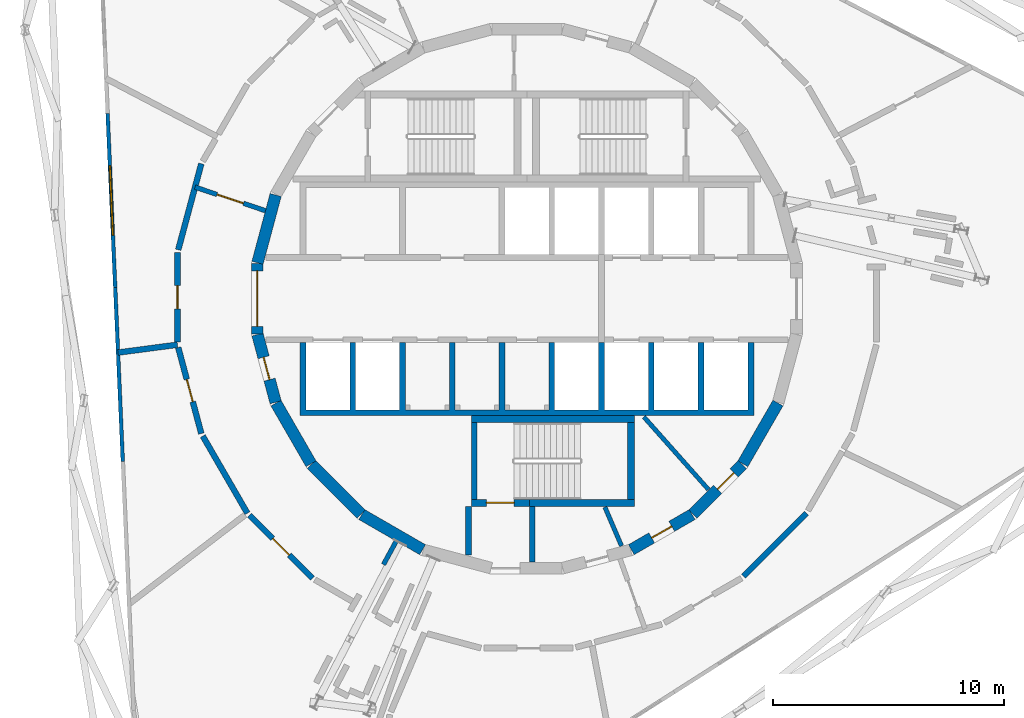
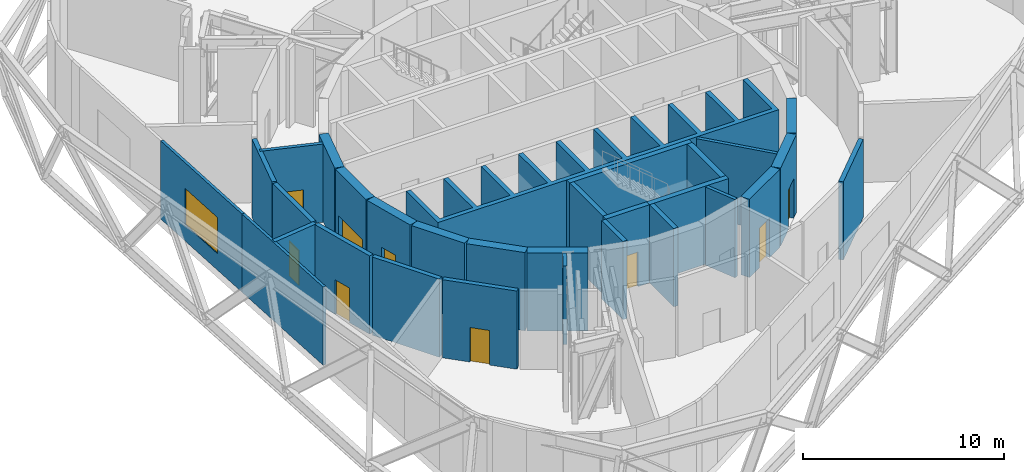
# One storey, part 6 of 12: 30 walls, 9 doors, 1 window, 10 openings.
"""IFC4 building model written with IfcOpenShell, lengths in metres."""

from ifc_helpers import new_model, si_unit, direction, frame, frame_2d, origin, place, context, subcontext, project, spatial, polyline, rectangle, outline, extrude, material, layer, layer_set, type_object, element, fill, save


model = new_model("IFC4")

# Units and contexts
model_context = context("Model", 3, precision=1e-05, world=origin(), true_north=direction((0.0, 1.0)))
body_context = subcontext(model_context, "Body", "Model", "MODEL_VIEW")
ifc_project = project(units=[si_unit("LENGTHUNIT", "METRE"), si_unit("AREAUNIT", "SQUARE_METRE"), si_unit("VOLUMEUNIT", "CUBIC_METRE"), si_unit("PLANEANGLEUNIT", "RADIAN"), si_unit("MASSUNIT", "GRAM", prefix="KILO")], contexts=[model_context])

# Site, building, storey
site_placement = place(None, origin())
site = spatial("IfcSite", under=ifc_project, at=site_placement, CompositionType="ELEMENT")
building_placement = place(site_placement, origin())
building = spatial("IfcBuilding", under=site, at=building_placement, Name="Spindle Arch Residences", CompositionType="ELEMENT")
storey_placement = place(building_placement, frame((0.0, 0.0, 258.199951171875)))
storey = spatial("IfcBuildingStorey", under=building, at=storey_placement, Name="L66", CompositionType="ELEMENT", Elevation=258.199951171875)

# Wall, opening, door
ifc_material_1 = material(Name="Concrete C50/60", Category="concrete")
ifc_layer_1 = layer(ifc_material_1, 0.5)
ifc_layer_set_1 = layer_set([ifc_layer_1], Name="Core outline wall 500")
wall_type_1 = type_object("IfcWallType", Name="Core outline wall 500", PredefinedType="SHEAR", material=ifc_layer_set_1)
wall_1_placement = place(storey_placement, frame((4.510498046875, -10.84521484375, 0.0), z_axis=(0.0, 0.0, 1.0), x_axis=(0.865975092491, 0.500087131594, 0.0)))
wall_1 = element("IfcWall", 1, at=wall_1_placement, inside=storey, type_object=wall_type_1, Name="Core outline wall 2", PredefinedType="SHEAR", context=body_context, shape_type="SweptSolid", body=[
    extrude(rectangle(XDim=3.03271484375, YDim=0.5, at=frame_2d((1.516357421875, 0.0))), origin(), (0.0, 0.0, 1.0), 4.75),
])
opening_1_placement = place(wall_1_placement, frame((1.016357421875, 0.0, 0.0)))
opening_1 = element("IfcOpeningElement", 2, at=opening_1_placement, cuts=wall_1, Name="Opening L66-PD07", PredefinedType="OPENING", context=body_context, shape_type="SweptSolid", body=[
    extrude(rectangle(XDim=1.0, YDim=2.39990234375, at=frame_2d((0.5, 1.199951171875))), frame((0.0, 0.260009765625, 0.0), z_axis=(0.0, -1.0, 0.0), x_axis=(1.0, 0.0, 0.0)), (0.0, 0.0, 1.0), 0.52001953125),
])
ifc_material_2 = material(Name="Steel, fire-resisting door", Category="steel")
door_type_1 = type_object("IfcDoorType", Name="Plant room door 1000x2400", OperationType="SINGLE_SWING_LEFT", PredefinedType="DOOR", material=ifc_material_2)
door_1_placement = place(opening_1_placement, origin())
door_1 = element("IfcDoor", 3, at=door_1_placement, inside=storey, type_object=door_type_1, Name="Plant room door L66-PD07", OperationType="SINGLE_SWING_LEFT", OverallHeight=2.39990234375, OverallWidth=1.0, PredefinedType="DOOR", context=body_context, shape_type="SweptSolid", body=[
    extrude(rectangle(XDim=1.0, YDim=2.39990234375, at=frame_2d((0.5, 1.199951171875))), frame((0.0, 0.02490234375, 0.0), z_axis=(0.0, -1.0, 0.0), x_axis=(1.0, 0.0, 0.0)), (0.0, 0.0, 1.0), 0.050048828125),
])
fill(opening_1, door_1)

wall_2_placement = place(storey_placement, frame((7.163818359375, -9.30810546875, 0.0), z_axis=(0.0, 0.0, 1.0), x_axis=(0.707106781187, 0.707106781187, 0.0)))
wall_2 = element("IfcWall", 4, at=wall_2_placement, inside=storey, type_object=wall_type_1, Name="Core outline wall 3", PredefinedType="SHEAR", context=body_context, shape_type="SweptSolid", body=[
    extrude(rectangle(XDim=3.032470703125, YDim=0.5, at=frame_2d((1.51611328125, 0.0))), origin(), (0.0, 0.0, 1.0), 4.75),
])
opening_2_placement = place(wall_2_placement, frame((1.516357421875, 0.0, 0.0)))
opening_2 = element("IfcOpeningElement", 5, at=opening_2_placement, cuts=wall_2, Name="Opening L66-PD05", PredefinedType="OPENING", context=body_context, shape_type="SweptSolid", body=[
    extrude(rectangle(XDim=1.0, YDim=2.39990234375, at=frame_2d((0.5, 1.199951171875))), frame((0.0, 0.260009765625, 0.0), z_axis=(0.0, -1.0, 0.0), x_axis=(1.0, 0.0, 0.0)), (0.0, 0.0, 1.0), 0.52001953125),
])
door_2_placement = place(opening_2_placement, origin())
door_2 = element("IfcDoor", 6, at=door_2_placement, inside=storey, type_object=door_type_1, Name="Plant room door L66-PD05", OperationType="SINGLE_SWING_LEFT", OverallHeight=2.39990234375, OverallWidth=1.0, PredefinedType="DOOR", context=body_context, shape_type="SweptSolid", body=[
    extrude(rectangle(XDim=1.0, YDim=2.39990234375, at=frame_2d((0.5, 1.199951171875))), frame((0.0, 0.02490234375, 0.0), z_axis=(0.0, -1.0, 0.0), x_axis=(1.0, 0.0, 0.0)), (0.0, 0.0, 1.0), 0.050048828125),
])
fill(opening_2, door_2)

# Walls
for number, where, z_axis, x_axis, name in (
    (7, (9.32861328125, -7.13671875, 0.0), (0.0, 0.0, 1.0), (0.500087131594, 0.865975092491, 0.0), "Core outline wall 4"),
    (8, (-10.858154296875, 4.479248046875, 0.0), (0.0, 0.0, 1.0), (-0.258734743916, -0.965948410781, 0.0), "Core outline wall 17"),
):
    element("IfcWall", number, at=place(storey_placement, frame(where, z_axis=z_axis, x_axis=x_axis)), inside=storey, type_object=wall_type_1, Name=name, PredefinedType="SHEAR", context=body_context, shape_type="SweptSolid", body=[
        extrude(rectangle(XDim=3.03271484375, YDim=0.5, at=frame_2d((1.516357421875, 0.0))), origin(), (0.0, 0.0, 1.0), 4.75),
    ])

# Wall, opening, door
wall_3_placement = place(storey_placement, frame((-11.647216796875, 1.516357421875, 0.0), z_axis=(0.0, 0.0, 1.0), x_axis=(0.0, -1.0, 0.0)))
wall_3 = element("IfcWall", 9, at=wall_3_placement, inside=storey, type_object=wall_type_1, Name="Core outline wall 18", PredefinedType="SHEAR", context=body_context, shape_type="SweptSolid", body=[
    extrude(rectangle(XDim=3.03271484375, YDim=0.5, at=frame_2d((1.516357421875, 0.0))), origin(), (0.0, 0.0, 1.0), 4.75),
])
opening_3_placement = place(wall_3_placement, frame((0.31640625, 0.0, 0.0)))
opening_3 = element("IfcOpeningElement", 10, at=opening_3_placement, cuts=wall_3, Name="Opening L66-LE01", PredefinedType="OPENING", context=body_context, shape_type="SweptSolid", body=[
    extrude(rectangle(XDim=2.39990234375, YDim=2.10009765625, at=frame_2d((1.199951171875, 1.050048828125))), frame((0.0, 0.260009765625, 0.0), z_axis=(0.0, -1.0, 0.0), x_axis=(1.0, 0.0, 0.0)), (0.0, 0.0, 1.0), 0.52001953125),
])
ifc_material_3 = material(Name="Steel, fire-resisting door", Category="steel")
door_type_2 = type_object("IfcDoorType", Name="Lift lobby entrance door 2400x2100", OperationType="DOUBLE_DOOR_SINGLE_SWING", PredefinedType="DOOR", material=ifc_material_3)
door_3_placement = place(opening_3_placement, origin())
door_3 = element("IfcDoor", 11, at=door_3_placement, inside=storey, type_object=door_type_2, Name="Lift lobby entrance door L66-LE01", OperationType="DOUBLE_DOOR_SINGLE_SWING", OverallHeight=2.10009765625, OverallWidth=2.39990234375, PredefinedType="DOOR", context=body_context, shape_type="SweptSolid", body=[
    extrude(rectangle(XDim=2.39990234375, YDim=2.10009765625, at=frame_2d((1.199951171875, 1.050048828125))), frame((0.0, 0.02490234375, 0.0), z_axis=(0.0, -1.0, 0.0), x_axis=(1.0, 0.0, 0.0)), (0.0, 0.0, 1.0), 0.050048828125),
])
fill(opening_3, door_3)

wall_4_placement = place(storey_placement, frame((-11.642822265625, -1.5498046875, 0.0), z_axis=(0.0, 0.0, 1.0), x_axis=(0.258734743916, -0.965948410781, 0.0)))
wall_4 = element("IfcWall", 12, at=wall_4_placement, inside=storey, type_object=wall_type_1, Name="Core outline wall 19", PredefinedType="SHEAR", context=body_context, shape_type="SweptSolid", body=[
    extrude(rectangle(XDim=3.03271484375, YDim=0.5, at=frame_2d((1.516357421875, 0.0))), origin(), (0.0, 0.0, 1.0), 4.75),
])
opening_4_placement = place(wall_4_placement, frame((1.016357421875, 0.0, 0.0)))
opening_4 = element("IfcOpeningElement", 13, at=opening_4_placement, cuts=wall_4, Name="Opening L66-PD08", PredefinedType="OPENING", context=body_context, shape_type="SweptSolid", body=[
    extrude(rectangle(XDim=1.0, YDim=2.39990234375, at=frame_2d((0.5, 1.199951171875))), frame((0.0, 0.260009765625, 0.0), z_axis=(0.0, -1.0, 0.0), x_axis=(1.0, 0.0, 0.0)), (0.0, 0.0, 1.0), 0.52001953125),
])
door_4_placement = place(opening_4_placement, origin())
door_4 = element("IfcDoor", 14, at=door_4_placement, inside=storey, type_object=door_type_1, Name="Plant room door L66-PD08", OperationType="SINGLE_SWING_RIGHT", OverallHeight=2.39990234375, OverallWidth=1.0, PredefinedType="DOOR", context=body_context, shape_type="SweptSolid", body=[
    extrude(rectangle(XDim=1.0, YDim=2.39990234375, at=frame_2d((0.5, 1.199951171875))), frame((0.0, 0.02490234375, 0.0), z_axis=(0.0, -1.0, 0.0), x_axis=(1.0, 0.0, 0.0)), (0.0, 0.0, 1.0), 0.050048828125),
])
fill(opening_4, door_4)

# Walls
wall_5_placement = place(storey_placement, frame((-10.84521484375, -4.510498046875, 0.0), z_axis=(0.0, 0.0, 1.0), x_axis=(0.500087131594, -0.865975092491, 0.0)))
element("IfcWall", 15, at=wall_5_placement, inside=storey, type_object=wall_type_1, Name="Core outline wall 20", PredefinedType="SHEAR", context=body_context, shape_type="SweptSolid", body=[
    extrude(rectangle(XDim=3.03271484375, YDim=0.5, at=frame_2d((1.516357421875, 0.0))), origin(), (0.0, 0.0, 1.0), 4.75),
])
wall_6_placement = place(storey_placement, frame((-9.30810546875, -7.163818359375, 0.0), z_axis=(0.0, 0.0, 1.0), x_axis=(0.707106781187, -0.707106781187, 0.0)))
element("IfcWall", 16, at=wall_6_placement, inside=storey, type_object=wall_type_1, Name="Core outline wall 21", PredefinedType="SHEAR", context=body_context, shape_type="SweptSolid", body=[
    extrude(rectangle(XDim=3.032470703125, YDim=0.5, at=frame_2d((1.51611328125, 0.0))), origin(), (0.0, 0.0, 1.0), 4.75),
])
wall_7_placement = place(storey_placement, frame((-7.13671875, -9.32861328125, 0.0), z_axis=(0.0, 0.0, 1.0), x_axis=(0.865975092491, -0.500087131594, 0.0)))
element("IfcWall", 17, at=wall_7_placement, inside=storey, type_object=wall_type_1, Name="Core outline wall 22", PredefinedType="SHEAR", context=body_context, shape_type="SweptSolid", body=[
    extrude(rectangle(XDim=3.03271484375, YDim=0.5, at=frame_2d((1.516357421875, 0.0))), origin(), (0.0, 0.0, 1.0), 4.75),
])

# Wall, opening, window
ifc_material_4 = material(Name="Non-combustible mineral wool insulated aluminium faced external wall (K0)", Category="aluminium")
ifc_layer_2 = layer(ifc_material_4, 0.159912109375)
ifc_layer_set_2 = layer_set([ifc_layer_2], Name="Insulated external wall panel 160")
wall_type_2 = type_object("IfcWallType", Name="Insulated external wall panel 160", PredefinedType="STANDARD", material=ifc_layer_set_2)
wall_8_placement = place(storey_placement, frame((-18.12060546875, 8.002197265625, 0.0), z_axis=(0.0, 0.0, 1.0), x_axis=(0.043608881799, -0.999048680209, 0.0)))
wall_8 = element("IfcWall", 18, at=wall_8_placement, inside=storey, type_object=wall_type_2, Name="Plant wall L66 bay 14", PredefinedType="STANDARD", context=body_context, shape_type="SweptSolid", body=[
    extrude(rectangle(XDim=7.52978515625, YDim=0.159912109375, at=frame_2d((3.764892578125, 0.0))), origin(), (0.0, 0.0, 1.0), 4.75),
])
opening_5_placement = place(wall_8_placement, frame((2.264892578125, 0.0, 1.0)))
opening_5 = element("IfcOpeningElement", 19, at=opening_5_placement, cuts=wall_8, Name="Opening LW1", PredefinedType="OPENING", context=body_context, shape_type="SweptSolid", body=[
    extrude(rectangle(XDim=3.0, YDim=2.199951171875, at=frame_2d((1.5, 1.10009765625))), frame((0.0, 0.08984375, 0.0), z_axis=(0.0, -1.0, 0.0), x_axis=(1.0, 0.0, 0.0)), (0.0, 0.0, 1.0), 0.179931640625),
])
ifc_material_5 = material(Name="Bronze anodised aluminium fixed louvre", Category="aluminium")
window_type = type_object("IfcWindowType", Name="Plant louvre opening 3000x2200", PartitioningType="SINGLE_PANEL", PredefinedType="WINDOW", material=ifc_material_5)
window_placement = place(opening_5_placement, origin())
window = element("IfcWindow", 20, at=window_placement, inside=storey, type_object=window_type, Name="Louvre opening L66 bay 14.1", OverallHeight=2.199951171875, OverallWidth=3.0, PartitioningType="SINGLE_PANEL", PredefinedType="WINDOW", context=body_context, shape_type="SweptSolid", body=[
    extrude(rectangle(XDim=3.0, YDim=2.199951171875, at=frame_2d((1.5, 1.10009765625))), frame((0.0, 0.030029296875, 0.0), z_axis=(0.0, -1.0, 0.0), x_axis=(1.0, 0.0, 0.0)), (0.0, 0.0, 1.0), 0.06005859375),
])
fill(opening_5, window)

# Walls
wall_9_placement = place(storey_placement, frame((-17.792236328125, 0.4794921875, 0.0), z_axis=(0.0, 0.0, 1.0), x_axis=(0.043639829449, -0.999047328852, 0.0)))
element("IfcWall", 21, at=wall_9_placement, inside=storey, type_object=wall_type_2, Name="Plant wall L66 bay 15", PredefinedType="STANDARD", context=body_context, shape_type="SweptSolid", body=[
    extrude(rectangle(XDim=7.530029296875, YDim=0.159912109375, at=frame_2d((3.76513671875, 0.0))), origin(), (0.0, 0.0, 1.0), 4.75),
])
ifc_material_6 = material(Name="Concrete C50/60", Category="concrete")
wall_type_3 = type_object("IfcWallType", Name="Lift shaft wall profile", PredefinedType="SHEAR", material=ifc_material_6)
wall_10_placement = place(storey_placement, origin())
element("IfcWall", 22, at=wall_10_placement, inside=storey, type_object=wall_type_3, Name="Lift shaft walls S", PredefinedType="SHEAR", context=body_context, shape_type="SweptSolid", body=[
    extrude(outline(polyline([(9.800048828125, -5.050048828125), (9.800048828125, -4.800048828125), (9.800048828125, -1.89990234375), (9.550048828125, -1.89990234375), (9.550048828125, -4.800048828125), (7.64990234375, -4.800048828125), (7.64990234375, -1.89990234375), (7.39990234375, -1.89990234375), (7.39990234375, -4.800048828125), (5.5, -4.800048828125), (5.5, -1.89990234375), (5.25, -1.89990234375), (5.25, -4.800048828125), (3.35009765625, -4.800048828125), (3.35009765625, -1.89990234375), (3.10009765625, -1.89990234375), (3.10009765625, -4.800048828125), (1.199951171875, -4.800048828125), (1.199951171875, -1.89990234375), (0.949951171875, -1.89990234375), (0.949951171875, -4.800048828125), (-0.949951171875, -4.800048828125), (-0.949951171875, -1.89990234375), (-1.199951171875, -1.89990234375), (-1.199951171875, -4.800048828125), (-3.10009765625, -4.800048828125), (-3.10009765625, -1.89990234375), (-3.35009765625, -1.89990234375), (-3.35009765625, -4.800048828125), (-5.25, -4.800048828125), (-5.25, -1.89990234375), (-5.5, -1.89990234375), (-5.5, -4.800048828125), (-7.39990234375, -4.800048828125), (-7.39990234375, -1.89990234375), (-7.64990234375, -1.89990234375), (-7.64990234375, -4.800048828125), (-9.550048828125, -4.800048828125), (-9.550048828125, -1.89990234375), (-9.800048828125, -1.89990234375), (-9.800048828125, -4.800048828125), (-9.800048828125, -5.050048828125), (9.800048828125, -5.050048828125)])), origin(), (0.0, 0.0, 1.0), 4.75),
])

# Wall, opening, door
ifc_material_7 = material(Name="Concrete C25/30 wall", Category="concrete")
ifc_layer_3 = layer(ifc_material_7, 0.25)
ifc_layer_set_3 = layer_set([ifc_layer_3], Name="Partition EI 120 250 plant")
wall_type_4 = type_object("IfcWallType", Name="Partition EI 120 250 plant", PredefinedType="PARTITIONING", material=ifc_layer_set_3)
wall_11_placement = place(storey_placement, frame((-15.067626953125, -2.11083984375, 0.0), z_axis=(0.0, 0.0, 1.0), x_axis=(0.259059323171, -0.965861411942, 0.0)))
wall_11 = element("IfcWall", 23, at=wall_11_placement, inside=storey, type_object=wall_type_4, Name="L66-W002", PredefinedType="PARTITIONING", context=body_context, shape_type="SweptSolid", body=[
    extrude(rectangle(XDim=3.8505859375, YDim=0.25, at=frame_2d((1.92529296875, 0.0))), origin(), (0.0, 0.0, 1.0), 4.75),
])
opening_6_placement = place(wall_11_placement, frame((1.42529296875, 0.0, 0.0)))
opening_6 = element("IfcOpeningElement", 24, at=opening_6_placement, cuts=wall_11, Name="Opening L66-D04", PredefinedType="OPENING", context=body_context, shape_type="SweptSolid", body=[
    extrude(rectangle(XDim=1.0, YDim=2.10009765625, at=frame_2d((0.5, 1.050048828125))), frame((0.0, 0.135009765625, 0.0), z_axis=(0.0, -1.0, 0.0), x_axis=(1.0, 0.0, 0.0)), (0.0, 0.0, 1.0), 0.27001953125),
])
ifc_material_8 = material(Name="Steel door leaf, painted", Category="steel")
door_type_3 = type_object("IfcDoorType", Name="Door 1000x2100 EI 60", OperationType="SINGLE_SWING_LEFT", PredefinedType="DOOR", material=ifc_material_8)
door_5_placement = place(opening_6_placement, origin())
door_5 = element("IfcDoor", 25, at=door_5_placement, inside=storey, type_object=door_type_3, Name="L66-D04", OperationType="SINGLE_SWING_LEFT", OverallHeight=2.10009765625, OverallWidth=1.0, PredefinedType="DOOR", context=body_context, shape_type="SweptSolid", body=[
    extrude(rectangle(XDim=1.0, YDim=2.10009765625, at=frame_2d((0.5, 1.050048828125))), frame((0.0, 0.02490234375, 0.0), z_axis=(0.0, -1.0, 0.0), x_axis=(1.0, 0.0, 0.0)), (0.0, 0.0, 1.0), 0.050048828125),
])
fill(opening_6, door_5)

# Wall
wall_12_placement = place(storey_placement, frame((-14.00732421875, -5.938232421875, 0.0), z_axis=(0.0, 0.0, 1.0), x_axis=(0.500708693508, -0.865615852585, 0.0)))
element("IfcWall", 26, at=wall_12_placement, inside=storey, type_object=wall_type_4, Name="L66-W004", PredefinedType="PARTITIONING", context=body_context, shape_type="SweptSolid", body=[
    extrude(rectangle(XDim=3.84912109375, YDim=0.25, at=frame_2d((1.924560546875, 0.0))), origin(), (0.0, 0.0, 1.0), 4.75),
])

# Wall, opening, door
wall_13_placement = place(storey_placement, frame((-11.99169921875, -9.3583984375, 0.0), z_axis=(0.0, 0.0, 1.0), x_axis=(0.707106781187, -0.707106781187, 0.0)))
wall_13 = element("IfcWall", 27, at=wall_13_placement, inside=storey, type_object=wall_type_4, Name="L66-W011", PredefinedType="PARTITIONING", context=body_context, shape_type="SweptSolid", body=[
    extrude(rectangle(XDim=3.84912109375, YDim=0.25, at=frame_2d((1.924560546875, 0.0))), origin(), (0.0, 0.0, 1.0), 4.75),
])
opening_7_placement = place(wall_13_placement, frame((1.424560546875, 0.0, 0.0)))
opening_7 = element("IfcOpeningElement", 28, at=opening_7_placement, cuts=wall_13, Name="Opening L66-D02", PredefinedType="OPENING", context=body_context, shape_type="SweptSolid", body=[
    extrude(rectangle(XDim=1.0, YDim=2.10009765625, at=frame_2d((0.5, 1.050048828125))), frame((0.0, 0.135009765625, 0.0), z_axis=(0.0, -1.0, 0.0), x_axis=(1.0, 0.0, 0.0)), (0.0, 0.0, 1.0), 0.27001953125),
])
door_6_placement = place(opening_7_placement, origin())
door_6 = element("IfcDoor", 29, at=door_6_placement, inside=storey, type_object=door_type_3, Name="L66-D02", OperationType="SINGLE_SWING_LEFT", OverallHeight=2.10009765625, OverallWidth=1.0, PredefinedType="DOOR", context=body_context, shape_type="SweptSolid", body=[
    extrude(rectangle(XDim=1.0, YDim=2.10009765625, at=frame_2d((0.5, 1.050048828125))), frame((0.0, 0.02490234375, 0.0), z_axis=(0.0, -1.0, 0.0), x_axis=(1.0, 0.0, 0.0)), (0.0, 0.0, 1.0), 0.050048828125),
])
fill(opening_7, door_6)

# Walls
wall_14_placement = place(storey_placement, frame((9.3583984375, -11.99169921875, 0.0), z_axis=(0.0, 0.0, 1.0), x_axis=(0.707106781187, 0.707106781187, 0.0)))
element("IfcWall", 30, at=wall_14_placement, inside=storey, type_object=wall_type_4, Name="L66-W053", PredefinedType="PARTITIONING", context=body_context, shape_type="SweptSolid", body=[
    extrude(rectangle(XDim=3.84912109375, YDim=0.25, at=frame_2d((1.924560546875, 0.0))), origin(), (0.0, 0.0, 1.0), 4.75),
])
ifc_material_9 = material(Name="Concrete C25/30 wall", Category="concrete")
ifc_layer_4 = layer(ifc_material_9, 0.25)
ifc_layer_set_4 = layer_set([ifc_layer_4], Name="Partition EI 150 250 electrical")
wall_type_5 = type_object("IfcWallType", Name="Partition EI 150 250 electrical", PredefinedType="PARTITIONING", material=ifc_layer_set_4)
wall_15_placement = place(storey_placement, frame((-15.10009765625, -1.989990234375, 0.0), z_axis=(0.0, 0.0, 1.0), x_axis=(-0.991385897114, -0.130973291185, 0.0)))
element("IfcWall", 31, at=wall_15_placement, inside=storey, type_object=wall_type_5, Name="L66-W001", PredefinedType="PARTITIONING", context=body_context, shape_type="SweptSolid", body=[
    extrude(rectangle(XDim=2.5927734375, YDim=0.25, at=frame_2d((1.29638671875, 0.0))), origin(), (0.0, 0.0, 1.0), 4.75),
])

# Wall, opening, door
wall_16_placement = place(storey_placement, frame((-15.10009765625, 1.989990234375, 0.0), z_axis=(0.0, 0.0, 1.0), x_axis=(0.0, -1.0, 0.0)))
wall_16 = element("IfcWall", 32, at=wall_16_placement, inside=storey, type_object=wall_type_5, Name="L66-W003", PredefinedType="PARTITIONING", context=body_context, shape_type="SweptSolid", body=[
    extrude(rectangle(XDim=3.85498046875, YDim=0.25, at=frame_2d((1.927490234375, 0.0))), origin(), (0.0, 0.0, 1.0), 4.75),
])
opening_8_placement = place(wall_16_placement, frame((1.427490234375, 0.0, 0.0)))
opening_8 = element("IfcOpeningElement", 33, at=opening_8_placement, cuts=wall_16, Name="Opening L66-D06", PredefinedType="OPENING", context=body_context, shape_type="SweptSolid", body=[
    extrude(rectangle(XDim=1.0, YDim=2.10009765625, at=frame_2d((0.5, 1.050048828125))), frame((0.0, 0.135009765625, 0.0), z_axis=(0.0, -1.0, 0.0), x_axis=(1.0, 0.0, 0.0)), (0.0, 0.0, 1.0), 0.27001953125),
])
door_7_placement = place(opening_8_placement, origin())
door_7 = element("IfcDoor", 34, at=door_7_placement, inside=storey, type_object=door_type_3, Name="L66-D06", OperationType="SINGLE_SWING_LEFT", OverallHeight=2.10009765625, OverallWidth=1.0, PredefinedType="DOOR", context=body_context, shape_type="SweptSolid", body=[
    extrude(rectangle(XDim=1.0, YDim=2.10009765625, at=frame_2d((0.5, 1.050048828125))), frame((0.0, 0.02490234375, 0.0), z_axis=(0.0, -1.0, 0.0), x_axis=(1.0, 0.0, 0.0)), (0.0, 0.0, 1.0), 0.050048828125),
])
fill(opening_8, door_7)

# Wall
wall_17_placement = place(storey_placement, frame((-14.070068359375, 5.830078125, 0.0), z_axis=(0.0, 0.0, 1.0), x_axis=(-0.259059323171, -0.965861411942, 0.0)))
element("IfcWall", 35, at=wall_17_placement, inside=storey, type_object=wall_type_5, Name="L66-W005", PredefinedType="PARTITIONING", context=body_context, shape_type="SweptSolid", body=[
    extrude(rectangle(XDim=3.8505859375, YDim=0.25, at=frame_2d((1.92529296875, 0.0))), origin(), (0.0, 0.0, 1.0), 4.75),
])

# Wall, opening, door
ifc_material_10 = material(Name="Gypsum board partition on steel studs", Category="steel")
ifc_layer_5 = layer(ifc_material_10, 0.199951171875)
ifc_layer_set_5 = layer_set([ifc_layer_5], Name="Partition EI 60 200 amenity")
wall_type_6 = type_object("IfcWallType", Name="Partition EI 60 200 amenity", PredefinedType="PARTITIONING", material=ifc_layer_set_5)
wall_18_placement = place(storey_placement, frame((-11.300048828125, 3.800048828125, 0.0), z_axis=(0.0, 0.0, 1.0), x_axis=(-0.94805712629, 0.318100118345, 0.0)))
wall_18 = element("IfcWall", 36, at=wall_18_placement, inside=storey, type_object=wall_type_6, Name="L66-W015", PredefinedType="PARTITIONING", context=body_context, shape_type="SweptSolid", body=[
    extrude(rectangle(XDim=3.20654296875, YDim=0.199951171875, at=frame_2d((1.603271484375, 0.0))), origin(), (0.0, 0.0, 1.0), 4.75),
])
opening_9_placement = place(wall_18_placement, frame((1.00341796875, 0.0, 0.0)))
opening_9 = element("IfcOpeningElement", 37, at=opening_9_placement, cuts=wall_18, Name="Opening L66-D13", PredefinedType="OPENING", context=body_context, shape_type="SweptSolid", body=[
    extrude(rectangle(XDim=1.199951171875, YDim=2.10009765625, at=frame_2d((0.60009765625, 1.050048828125))), frame((0.0, 0.10986328125, 0.0), z_axis=(0.0, -1.0, 0.0), x_axis=(1.0, 0.0, 0.0)), (0.0, 0.0, 1.0), 0.219970703125),
])
ifc_material_11 = material(Name="Steel door leaf, painted", Category="steel")
door_type_4 = type_object("IfcDoorType", Name="Door 1200x2100 EI 60", OperationType="SINGLE_SWING_LEFT", PredefinedType="DOOR", material=ifc_material_11)
door_8_placement = place(opening_9_placement, origin())
door_8 = element("IfcDoor", 38, at=door_8_placement, inside=storey, type_object=door_type_4, Name="L66-D13", OperationType="SINGLE_SWING_LEFT", OverallHeight=2.10009765625, OverallWidth=1.199951171875, PredefinedType="DOOR", context=body_context, shape_type="SweptSolid", body=[
    extrude(rectangle(XDim=1.199951171875, YDim=2.10009765625, at=frame_2d((0.60009765625, 1.050048828125))), frame((0.0, 0.02490234375, 0.0), z_axis=(0.0, -1.0, 0.0), x_axis=(1.0, 0.0, 0.0)), (0.0, 0.0, 1.0), 0.050048828125),
])
fill(opening_9, door_8)

# Walls
wall_19_placement = place(storey_placement, frame((-6.199951171875, -11.489990234375, 0.0), z_axis=(0.0, 0.0, 1.0), x_axis=(0.478271968214, 0.878211776521, 0.0)))
element("IfcWall", 39, at=wall_19_placement, inside=storey, type_object=wall_type_6, Name="L66-W030", PredefinedType="PARTITIONING", context=body_context, shape_type="SweptSolid", body=[
    extrude(rectangle(XDim=1.150146484375, YDim=0.199951171875, at=frame_2d((0.5751953125, 0.0))), origin(), (0.0, 0.0, 1.0), 4.75),
])
ifc_material_12 = material(Name="Concrete C25/30", Category="concrete")
ifc_layer_6 = layer(ifc_material_12, 0.18994140625)
ifc_layer_set_6 = layer_set([ifc_layer_6], Name="Plant room partition 190")
wall_type_7 = type_object("IfcWallType", Name="Plant room partition 190", PredefinedType="PARTITIONING", material=ifc_layer_set_6)
wall_20_placement = place(storey_placement, frame((7.84228515625, -8.24755859375, 0.0), z_axis=(0.0, 0.0, 1.0), x_axis=(-0.66446128181, 0.747322691329, 0.0)))
element("IfcWall", 40, at=wall_20_placement, inside=storey, type_object=wall_type_7, Name="Core plant room partition", PredefinedType="PARTITIONING", context=body_context, shape_type="SweptSolid", body=[
    extrude(rectangle(XDim=4.198486328125, YDim=0.18994140625, at=frame_2d((2.09912109375, 0.0))), origin(), (0.0, 0.0, 1.0), 4.75),
])
wall_21_placement = place(storey_placement, frame((3.366943359375, -9.0068359375, 0.0), z_axis=(0.0, 0.0, 1.0), x_axis=(0.394387482265, -0.918944238696, 0.0)))
element("IfcWall", 41, at=wall_21_placement, inside=storey, type_object=wall_type_7, Name="Core plant room partition", PredefinedType="PARTITIONING", context=body_context, shape_type="SweptSolid", body=[
    extrude(rectangle(XDim=1.824951171875, YDim=0.18994140625, at=frame_2d((0.91259765625, 0.0))), origin(), (0.0, 0.0, 1.0), 4.75),
])
ifc_material_13 = material(Name="Concrete C40/50", Category="concrete")
ifc_layer_7 = layer(ifc_material_13, 0.25)
ifc_layer_set_7 = layer_set([ifc_layer_7], Name="Stair airlock wall 250")
wall_type_8 = type_object("IfcWallType", Name="Stair airlock wall 250", PredefinedType="SHEAR", material=ifc_layer_set_7)
wall_22_placement = place(storey_placement, frame((-2.52490234375, -8.969970703125, 0.0), z_axis=(0.0, 0.0, 1.0), x_axis=(0.0, -1.0, 0.0)))
element("IfcWall", 42, at=wall_22_placement, inside=storey, type_object=wall_type_8, Name="Stair ST-3 airlock wall W", PredefinedType="SHEAR", context=body_context, shape_type="SweptSolid", body=[
    extrude(rectangle(XDim=2.110107421875, YDim=0.25, at=frame_2d((1.05517578125, 0.0))), origin(), (0.0, 0.0, 1.0), 4.75),
])
wall_23_placement = place(storey_placement, frame((0.22509765625, -8.969970703125, 0.0), z_axis=(0.0, 0.0, 1.0), x_axis=(0.0, -1.0, 0.0)))
element("IfcWall", 43, at=wall_23_placement, inside=storey, type_object=wall_type_8, Name="Stair ST-3 airlock wall E", PredefinedType="SHEAR", context=body_context, shape_type="SweptSolid", body=[
    extrude(rectangle(XDim=2.409912109375, YDim=0.25, at=frame_2d((1.205078125, 0.0))), origin(), (0.0, 0.0, 1.0), 4.75),
])
ifc_material_14 = material(Name="Concrete C50/60", Category="concrete")
ifc_layer_8 = layer(ifc_material_14, 0.25)
ifc_layer_set_8 = layer_set([ifc_layer_8], Name="Stair enclosure wall 250")
wall_type_9 = type_object("IfcWallType", Name="Stair enclosure wall 250", PredefinedType="SHEAR", material=ifc_layer_set_8)
wall_24_placement = place(storey_placement, frame((-2.27490234375, -8.669921875, 0.0), z_axis=(0.0, 0.0, 1.0), x_axis=(0.0, 1.0, 0.0)))
element("IfcWall", 44, at=wall_24_placement, inside=storey, type_object=wall_type_9, Name="Stair ST-3 enclosure wall W", PredefinedType="SHEAR", context=body_context, shape_type="SweptSolid", body=[
    extrude(rectangle(XDim=3.31982421875, YDim=0.25, at=frame_2d((1.659912109375, 0.0))), origin(), (0.0, 0.0, 1.0), 4.75),
])
ifc_material_15 = material(Name="Concrete C50/60", Category="concrete")
ifc_layer_9 = layer(ifc_material_15, 0.300048828125)
ifc_layer_set_9 = layer_set([ifc_layer_9], Name="Stair enclosure wall 300")
wall_type_10 = type_object("IfcWallType", Name="Stair enclosure wall 300", PredefinedType="SHEAR", material=ifc_layer_set_9)
wall_25_placement = place(storey_placement, frame((-2.39990234375, -5.199951171875, 0.0), z_axis=(0.0, 0.0, 1.0), x_axis=(1.0, 0.0, 0.0)))
element("IfcWall", 45, at=wall_25_placement, inside=storey, type_object=wall_type_10, Name="Stair ST-3 enclosure wall N", PredefinedType="SHEAR", context=body_context, shape_type="SweptSolid", body=[
    extrude(rectangle(XDim=7.0498046875, YDim=0.300048828125, at=frame_2d((3.52490234375, 0.0))), origin(), (0.0, 0.0, 1.0), 4.75),
])
wall_26_placement = place(storey_placement, frame((4.5, -8.669921875, 0.0), z_axis=(0.0, 0.0, 1.0), x_axis=(0.0, 1.0, 0.0)))
element("IfcWall", 46, at=wall_26_placement, inside=storey, type_object=wall_type_10, Name="Stair ST-3 enclosure wall E", PredefinedType="SHEAR", context=body_context, shape_type="SweptSolid", body=[
    extrude(rectangle(XDim=3.31982421875, YDim=0.300048828125, at=frame_2d((1.659912109375, 0.0))), origin(), (0.0, 0.0, 1.0), 4.75),
])
wall_27_placement = place(storey_placement, frame((0.10009765625, -8.820068359375, 0.0), z_axis=(0.0, 0.0, 1.0), x_axis=(1.0, 0.0, 0.0)))
element("IfcWall", 47, at=wall_27_placement, inside=storey, type_object=wall_type_10, Name="Stair ST-3 enclosure wall S", PredefinedType="SHEAR", context=body_context, shape_type="SweptSolid", body=[
    extrude(rectangle(XDim=4.5498046875, YDim=0.300048828125, at=frame_2d((2.27490234375, 0.0))), origin(), (0.0, 0.0, 1.0), 4.75),
])

# Wall, opening, door
wall_28_placement = place(storey_placement, frame((-2.39990234375, -8.820068359375, 0.0), z_axis=(0.0, 0.0, 1.0), x_axis=(1.0, 0.0, 0.0)))
wall_28 = element("IfcWall", 48, at=wall_28_placement, inside=storey, type_object=wall_type_10, Name="Stair ST-3 door wall", PredefinedType="SHEAR", context=body_context, shape_type="SweptSolid", body=[
    extrude(rectangle(XDim=2.5, YDim=0.300048828125, at=frame_2d((1.25, 0.0))), origin(), (0.0, 0.0, 1.0), 4.75),
])
opening_10_placement = place(wall_28_placement, frame((0.64990234375, 0.0, 0.0)))
opening_10 = element("IfcOpeningElement", 49, at=opening_10_placement, cuts=wall_28, Name="Opening L66-SD03", PredefinedType="OPENING", context=body_context, shape_type="SweptSolid", body=[
    extrude(rectangle(XDim=1.199951171875, YDim=2.10009765625, at=frame_2d((0.60009765625, 1.050048828125))), frame((0.0, 0.16015625, 0.0), z_axis=(0.0, -1.0, 0.0), x_axis=(1.0, 0.0, 0.0)), (0.0, 0.0, 1.0), 0.320068359375),
])
ifc_material_16 = material(Name="Steel, fire-resisting door", Category="steel")
door_type_5 = type_object("IfcDoorType", Name="Stair door 1200x2100", OperationType="SINGLE_SWING_RIGHT", PredefinedType="DOOR", material=ifc_material_16)
door_9_placement = place(opening_10_placement, origin())
door_9 = element("IfcDoor", 50, at=door_9_placement, inside=storey, type_object=door_type_5, Name="Stair door L66-SD03", OperationType="SINGLE_SWING_LEFT", OverallHeight=2.10009765625, OverallWidth=1.199951171875, PredefinedType="DOOR", context=body_context, shape_type="SweptSolid", body=[
    extrude(rectangle(XDim=1.199951171875, YDim=2.10009765625, at=frame_2d((0.60009765625, 1.050048828125))), frame((0.0, 0.02490234375, 0.0), z_axis=(0.0, -1.0, 0.0), x_axis=(1.0, 0.0, 0.0)), (0.0, 0.0, 1.0), 0.050048828125),
])
fill(opening_10, door_9)

save(model, "model.ifc")
